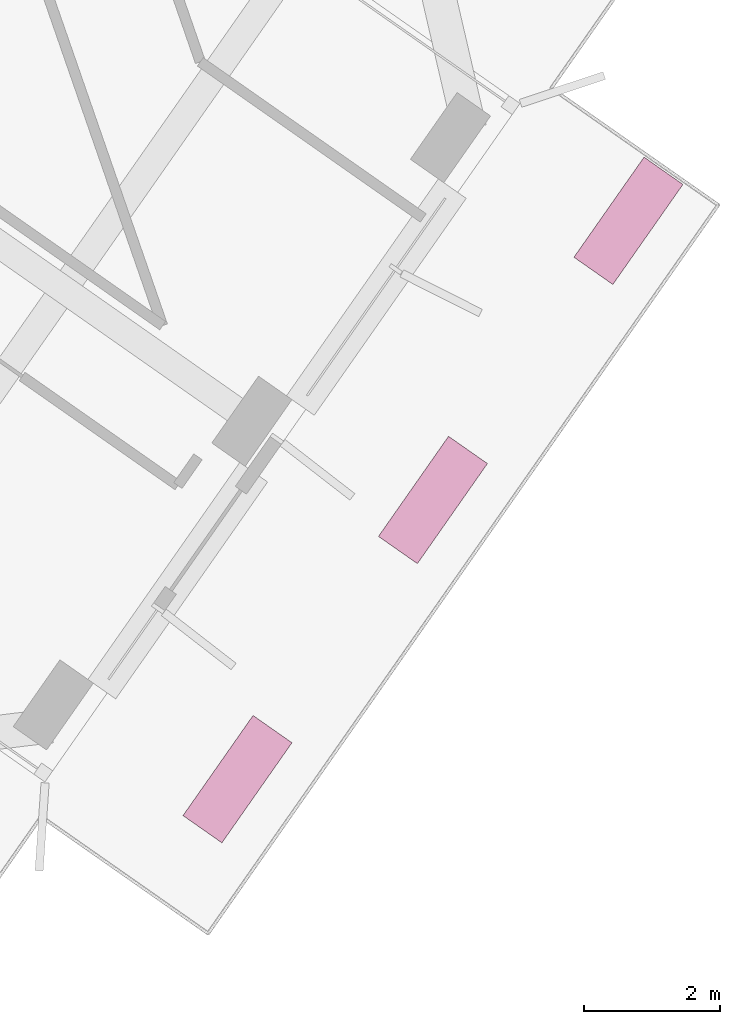
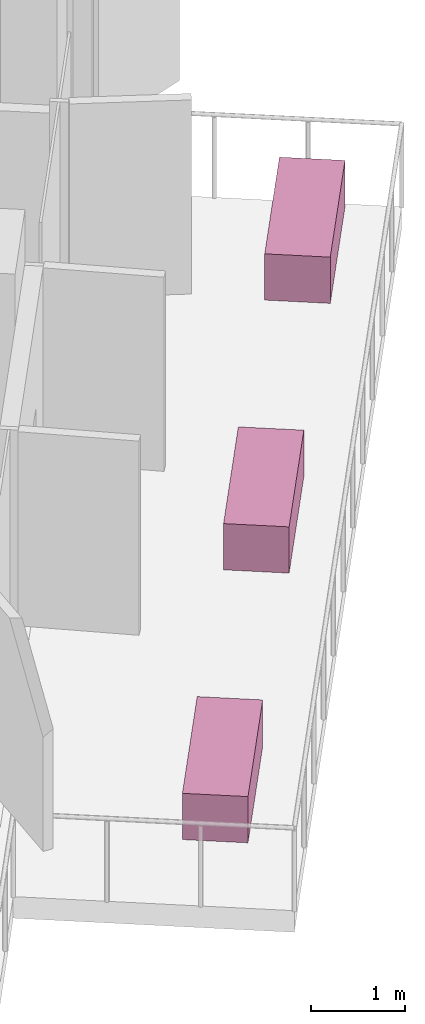
# One storey, part 23 of 23: 3 furniture elements.
"""IFC4 building model written with IfcOpenShell, lengths in metres."""

import ifcopenshell
import ifcopenshell.guid

model = None  # the IFC model being written
_history = None  # IfcOwnerHistory: only IFC2X3 demands one
_inside = {}  # id of a spatial element -> (the spatial element, [elements in it])
_under = {}  # id of a project, library or spatial element -> (it, [spatial elements below it])
_declared = {}  # id of a project -> (the project, [libraries it declares])
_typed = {}  # id of a type object -> (the type object, [elements of that type])
_made_of = {}  # id of a material, layer set ... -> (it, [elements and type objects made of it])


def new_model(schema):
    """Start an empty IFC model of exactly this schema.

    Asked for "IFC4X3", IfcOpenShell would pick the latest addendum, in which some entities
    have other attributes; the version numbers below select the first issue.
    IFC2X3 requires an IfcOwnerHistory on every rooted entity: one is made here for all.
    """
    global model, _history
    if schema == "IFC4X3":
        model = ifcopenshell.file(schema_version=(4, 3, 0, 0))
    else:
        model = ifcopenshell.file(schema=schema)
    _inside.clear()
    _under.clear()
    _declared.clear()
    _typed.clear()
    _made_of.clear()
    _history = None
    if model.schema == "IFC2X3":
        org = make("IfcOrganization", Name="unknown")
        user = make(
            "IfcPersonAndOrganization",
            ThePerson=make("IfcPerson", FamilyName="unknown"),
            TheOrganization=org,
        )
        app = make(
            "IfcApplication",
            ApplicationDeveloper=org,
            Version="unknown",
            ApplicationFullName="unknown",
            ApplicationIdentifier="unknown",
        )
        _history = make(
            "IfcOwnerHistory",
            OwningUser=user,
            OwningApplication=app,
            ChangeAction="ADDED",
            CreationDate=0,
        )
    return model


def make(cls, **values):
    """One entity of the class cls with the attributes given. An attribute that is None is left unset."""
    return model.create_entity(
        cls, **{name: value for name, value in values.items() if value is not None}
    )


def rooted(cls, **values):
    """An entity with a GlobalId (a new one), such as an element, a storey or a relation."""
    return make(cls, GlobalId=ifcopenshell.guid.new(), OwnerHistory=_history, **values)


def si_unit(unit_type, name, prefix=None):
    """IfcSIUnit, for example si_unit("LENGTHUNIT", "METRE", prefix="MILLI")."""
    return make("IfcSIUnit", UnitType=unit_type, Prefix=prefix, Name=name)


def assignment(units):
    """IfcUnitAssignment: the units of a project."""
    return None if units is None else make("IfcUnitAssignment", Units=units)


def point(xyz):
    """IfcCartesianPoint."""
    return None if xyz is None else make("IfcCartesianPoint", Coordinates=xyz)


def direction(xyz):
    """IfcDirection."""
    return None if xyz is None else make("IfcDirection", DirectionRatios=xyz)


def frame(location, z_axis=None, x_axis=None):
    """IfcAxis2Placement3D, a coordinate frame: its origin and axes. An axis left out is left unset."""
    return make(
        "IfcAxis2Placement3D",
        Location=point(location),
        Axis=direction(z_axis),
        RefDirection=direction(x_axis),
    )


def frame_2d(location, x_axis=None):
    """IfcAxis2Placement2D, a coordinate frame in the plane: its origin and x axis."""
    return make(
        "IfcAxis2Placement2D", Location=point(location), RefDirection=direction(x_axis)
    )


def origin():
    """The frame at (0, 0, 0) with its axes left unset."""
    return frame((0.0, 0.0, 0.0))


def origin_2d():
    """The frame at (0, 0) in the plane with its x axis left unset."""
    return frame_2d((0.0, 0.0))


def place(relative_to, where):
    """IfcLocalPlacement: puts the frame where relative to a parent placement (None: the world)."""
    return make(
        "IfcLocalPlacement", PlacementRelTo=relative_to, RelativePlacement=where
    )


def context(
    kind, dimensions, precision=None, world=None, true_north=None, identifier=None
):
    """IfcGeometricRepresentationContext, for example the 3D "Model" context."""
    return make(
        "IfcGeometricRepresentationContext",
        ContextIdentifier=identifier,
        ContextType=kind,
        CoordinateSpaceDimension=dimensions,
        Precision=precision,
        WorldCoordinateSystem=world,
        TrueNorth=true_north,
    )


def subcontext(parent, identifier, kind, view, scale=None):
    """IfcGeometricRepresentationSubContext, for example "Body" below "Model"."""
    return make(
        "IfcGeometricRepresentationSubContext",
        ContextIdentifier=identifier,
        ContextType=kind,
        ParentContext=parent,
        TargetScale=scale,
        TargetView=view,
    )


def project(units=None, contexts=None):
    """IfcProject with its units and contexts."""
    return rooted(
        "IfcProject",
        Name="project",
        RepresentationContexts=contexts,
        UnitsInContext=assignment(units),
    )


def spatial(cls, under=None, at=None, **own):
    """A site, building, storey or space (cls), placed at a placement, below another one or the project."""
    s = rooted(cls, ObjectPlacement=at, **own)
    if under is not None:
        _under.setdefault(under.id(), (under, []))[1].append(s)
    return s


def profile(cls, at=None, kind="AREA", **sizes):
    """A parametric profile (cls). Its sizes go by their IFC names, for example OverallWidth=200.0."""
    return make(cls, ProfileType=kind, Position=at, **sizes)


def rectangle(**sizes):
    """IfcRectangleProfileDef."""
    return profile("IfcRectangleProfileDef", **sizes)


def extrude(swept, where, along, depth):
    """IfcExtrudedAreaSolid: the profile swept, set in the frame where, extruded along a direction by depth."""
    return make(
        "IfcExtrudedAreaSolid",
        SweptArea=swept,
        Position=where,
        ExtrudedDirection=direction(along),
        Depth=depth,
    )


def shape(context_of_items, identifier, shape_type, items):
    """IfcShapeRepresentation: the items that make up one representation, for example the "Body"."""
    return make(
        "IfcShapeRepresentation",
        ContextOfItems=context_of_items,
        RepresentationIdentifier=identifier,
        RepresentationType=shape_type,
        Items=items,
    )


def material(Name=None, Category=None):
    """IfcMaterial."""
    return make("IfcMaterial", Name=Name, Category=Category)


def made_of(thing, what):
    """Note that an element or type object is made of a material, layer set ...; save() writes the relation."""
    if what is not None:
        _made_of.setdefault(what.id(), (what, []))[1].append(thing)
    return thing


def type_object(cls, material=None, **own):
    """A type object (cls), such as IfcWallType, which elements share."""
    return made_of(rooted(cls, **own), material)


def element(
    cls,
    number,
    at=None,
    inside=None,
    cuts=None,
    type_object=None,
    material=None,
    context=None,
    identifier="Body",
    shape_type=None,
    held_by="IfcProductDefinitionShape",
    body=None,
    shapes=None,
    **own,
):
    """One element of the class cls, such as IfcWall. Its Tag is "e" and its number.

    at: its placement. inside: the storey or other place that contains it. cuts: it is an
    opening in that element (IfcRelVoidsElement). A single representation is given by context,
    identifier, shape_type and body (its items); several are given by shapes. held_by: the class
    of the entity that holds the representations. save() writes the other relations.
    """
    e = rooted(cls, Tag="e%d" % number, ObjectPlacement=at, **own)
    if body is not None:
        shapes = [shape(context, identifier, shape_type, body)]
    if shapes is not None:
        e.Representation = make(held_by, Representations=shapes)
    if inside is not None:
        _inside.setdefault(inside.id(), (inside, []))[1].append(e)
    if cuts is not None:
        rooted(
            "IfcRelVoidsElement", RelatingBuildingElement=cuts, RelatedOpeningElement=e
        )
    if type_object is not None:
        _typed.setdefault(type_object.id(), (type_object, []))[1].append(e)
    return made_of(e, material)


def aggregate(whole, parts):
    """IfcRelAggregates: a whole, such as a stair, and the parts it consists of."""
    return rooted("IfcRelAggregates", RelatingObject=whole, RelatedObjects=parts)


def save(model, path):
    """Write the relations noted so far, then the file.

    IfcRelAggregates (storeys below a building ...), IfcRelContainedInSpatialStructure (elements
    in a storey), IfcRelDefinesByType, IfcRelAssociatesMaterial and IfcRelDeclares: one each for
    every whole, place, type object, material and project.
    """
    for whole, parts in _under.values():
        aggregate(whole, parts)
    for where, things in _inside.values():
        rooted(
            "IfcRelContainedInSpatialStructure",
            RelatedElements=things,
            RelatingStructure=where,
        )
    for kind, things in _typed.values():
        rooted("IfcRelDefinesByType", RelatedObjects=things, RelatingType=kind)
    for what, things in _made_of.values():
        rooted("IfcRelAssociatesMaterial", RelatedObjects=things, RelatingMaterial=what)
    for by, libraries in _declared.values():
        rooted("IfcRelDeclares", RelatingContext=by, RelatedDefinitions=libraries)
    model.write(path)


model = new_model("IFC4")

# Units and contexts
model_context = context("Model", 3, precision=1e-05, world=origin(), true_north=direction((0.0, 1.0)))
body_context = subcontext(model_context, "Body", "Model", "MODEL_VIEW")
ifc_project = project(units=[si_unit("LENGTHUNIT", "METRE"), si_unit("AREAUNIT", "SQUARE_METRE"), si_unit("VOLUMEUNIT", "CUBIC_METRE"), si_unit("PLANEANGLEUNIT", "RADIAN"), si_unit("MASSUNIT", "GRAM", prefix="KILO")], contexts=[model_context])

# Site, building, storey
site_placement = place(None, origin())
site = spatial("IfcSite", under=ifc_project, at=site_placement, CompositionType="ELEMENT")
building_placement = place(site_placement, origin())
building = spatial("IfcBuilding", under=site, at=building_placement, Name="Tel Ilan Convention Tower", CompositionType="ELEMENT")
storey_placement = place(building_placement, frame((0.0, 0.0, 190.5)))
storey = spatial("IfcBuildingStorey", under=building, at=storey_placement, Name="L44", CompositionType="ELEMENT", Elevation=190.5)

# Furniture
ifc_material = material(Name="Concrete C30/37", Category="concrete")
furniture_type = type_object("IfcFurnitureType", Name="PLANTER 1800x700", AssemblyPlace="NOTDEFINED", PredefinedType="NOTDEFINED", material=ifc_material)
for number, where, z_axis, x_axis, name in (
    (1, (36.7314453125, -20.592529296875, 0.0), (0.0, 0.0, 1.0), (-0.573576436351, -0.819152044289, 0.0), "PLANTER"),
    (2, (33.85205078125, -24.70458984375, 0.0), (0.0, 0.0, 1.0), (-0.573576436351, -0.819152044289, 0.0), "PLANTER"),
    (3, (30.972900390625, -28.816650390625, 0.0), (0.0, 0.0, 1.0), (-0.573576436351, -0.819152044289, 0.0), "PLANTER"),
):
    element("IfcFurniture", number, at=place(storey_placement, frame(where, z_axis=z_axis, x_axis=x_axis)), inside=storey, type_object=furniture_type, Name=name, PredefinedType="NOTDEFINED", context=body_context, shape_type="SweptSolid", body=[
        extrude(rectangle(XDim=1.800048828125, YDim=0.699951171875, at=origin_2d()), origin(), (0.0, 0.0, 1.0), 0.60009765625),
    ])

save(model, "model.ifc")
